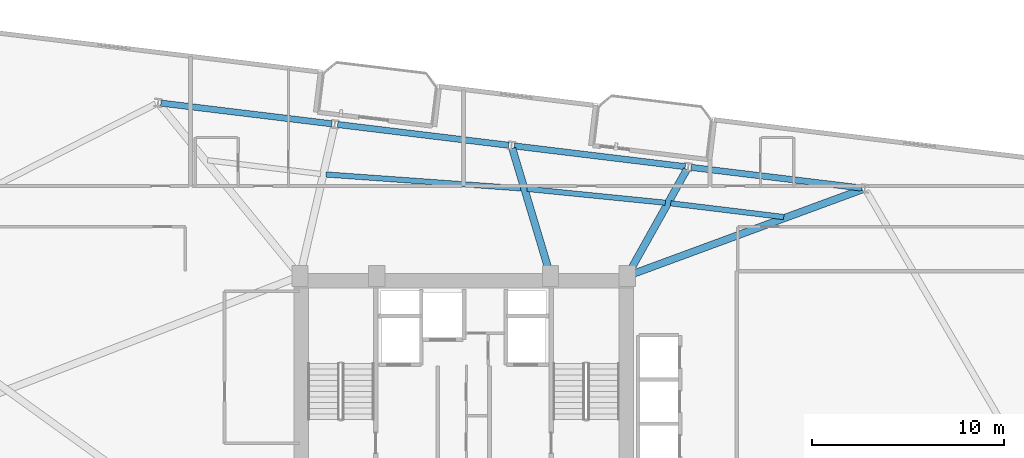
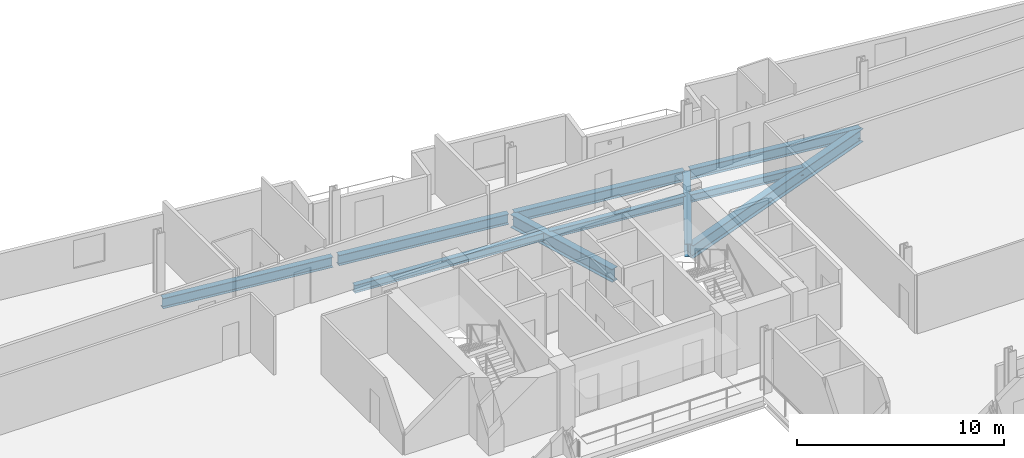
# One storey, part 13 of 26: 10 beams.
"""IFC4 building model written with IfcOpenShell, lengths in metres."""

from ifc_helpers import new_model, si_unit, direction, frame, origin, origin_2d, place, context, subcontext, project, spatial, i_section, extrude, material, material_profile, profile_set, type_object, element, save


model = new_model("IFC4")

# Units and contexts
model_context = context("Model", 3, precision=1e-05, world=origin(), true_north=direction((0.0, 1.0)))
body_context = subcontext(model_context, "Body", "Model", "MODEL_VIEW")
ifc_project = project(units=[si_unit("LENGTHUNIT", "METRE"), si_unit("AREAUNIT", "SQUARE_METRE"), si_unit("VOLUMEUNIT", "CUBIC_METRE"), si_unit("PLANEANGLEUNIT", "RADIAN"), si_unit("MASSUNIT", "GRAM", prefix="KILO")], contexts=[model_context])

# Site, building, storey
site_placement = place(None, origin())
site = spatial("IfcSite", under=ifc_project, at=site_placement, CompositionType="ELEMENT")
building_placement = place(site_placement, origin())
building = spatial("IfcBuilding", under=site, at=building_placement, Name="Varnelok Gate Tower", CompositionType="ELEMENT")
storey_placement = place(building_placement, frame((0.0, 0.0, 147.60009765625)))
storey = spatial("IfcBuildingStorey", under=building, at=storey_placement, Name="L37", CompositionType="ELEMENT", Elevation=147.60009765625)

# Beams
ifc_material = material(Name="Structural Steel ASTM A992 Grade 50", Category="steel")
ifc_material_profile_1 = material_profile(ifc_material, i_section(OverallWidth=0.280029296875, OverallDepth=0.462890625, WebThickness=0.0107421875, FlangeThickness=0.017333984375, FilletRadius=0.014892578125, at=origin_2d()), Name="W18X76")
ifc_profile_set_1 = profile_set([ifc_material_profile_1], Name="Structural Steel ASTM A992 Grade 50")
beam_type_1 = type_object("IfcBeamType", Name="BM-JST-W18X76", PredefinedType="JOIST", material=ifc_profile_set_1)
beam_1_placement = place(storey_placement, frame((55.83837890625, 42.11767578125, -0.481689453125), z_axis=(-0.992736768693, 0.120306725023, 0.0), x_axis=(-0.120306725023, -0.992736768693, 0.0)))
element("IfcBeam", 1, at=beam_1_placement, inside=storey, type_object=beam_type_1, Name="L37 Sector Floor Joist 7", PredefinedType="JOIST", context=body_context, shape_type="SweptSolid", body=[
    extrude(i_section(OverallWidth=0.280029296875, OverallDepth=0.462890625, WebThickness=0.0107421875, FlangeThickness=0.017333984375, FilletRadius=0.014892578125, at=origin_2d()), origin(), (0.0, 0.0, 1.0), 5.91748046875),
])
beam_2_placement = place(storey_placement, frame((49.685546875, 42.860595703125, -0.481689453125), z_axis=(-0.995046890512, 0.099406668195, 0.0), x_axis=(-0.099406668195, -0.995046890512, 0.0)))
element("IfcBeam", 2, at=beam_2_placement, inside=storey, type_object=beam_type_1, Name="L37 Sector Floor Joist 8", PredefinedType="JOIST", context=body_context, shape_type="SweptSolid", body=[
    extrude(i_section(OverallWidth=0.280029296875, OverallDepth=0.462890625, WebThickness=0.0107421875, FlangeThickness=0.017333984375, FilletRadius=0.014892578125, at=origin_2d()), origin(), (0.0, 0.0, 1.0), 7.22314453125),
])
beam_3_placement = place(storey_placement, frame((42.219482421875, 43.602294921875, -0.481689453125), z_axis=(-0.997461008797, 0.071214717085, 0.0), x_axis=(-0.071214717085, -0.997461008797, 0.0)))
element("IfcBeam", 3, at=beam_3_placement, inside=storey, type_object=beam_type_1, Name="L37 Sector Floor Joist 9", PredefinedType="JOIST", context=body_context, shape_type="SweptSolid", body=[
    extrude(i_section(OverallWidth=0.280029296875, OverallDepth=0.462890625, WebThickness=0.0107421875, FlangeThickness=0.017333984375, FilletRadius=0.014892578125, at=origin_2d()), origin(), (0.0, 0.0, 1.0), 10.195556640625),
])
ifc_material_profile_2 = material_profile(ifc_material, i_section(OverallWidth=0.381103515625, OverallDepth=0.77294921875, WebThickness=0.0166015625, FlangeThickness=0.027099609375, FilletRadius=0.02197265625, at=origin_2d()), Name="W30X173")
ifc_profile_set_2 = profile_set([ifc_material_profile_2], Name="Structural Steel ASTM A992 Grade 50")
beam_type_2 = type_object("IfcBeamType", Name="BM-PRI-W30X173", PredefinedType="BEAM", material=ifc_profile_set_2)
beam_4_placement = place(storey_placement, frame((47.8408203125, 39.101806640625, -0.63671875), z_axis=(0.938296458402, 0.345831976761, 0.0), x_axis=(-0.345831976761, 0.938296458402, 0.0)))
element("IfcBeam", 4, at=beam_4_placement, inside=storey, type_object=beam_type_2, Name="L37 Radial Floor Girder 9", PredefinedType="BEAM", context=body_context, shape_type="SweptSolid", body=[
    extrude(i_section(OverallWidth=0.381103515625, OverallDepth=0.77294921875, WebThickness=0.0166015625, FlangeThickness=0.027099609375, FilletRadius=0.02197265625, at=origin_2d()), origin(), (0.0, 0.0, 1.0), 12.86669921875),
])
beam_5_placement = place(storey_placement, frame((47.773193359375, 39.180908203125, -0.63671875), z_axis=(0.48838490004, 0.872628322605, 0.0), x_axis=(-0.872628322605, 0.48838490004, 0.0)))
element("IfcBeam", 5, at=beam_5_placement, inside=storey, type_object=beam_type_2, Name="L37 Radial Floor Girder 10", PredefinedType="BEAM", context=body_context, shape_type="SweptSolid", body=[
    extrude(i_section(OverallWidth=0.381103515625, OverallDepth=0.77294921875, WebThickness=0.0166015625, FlangeThickness=0.027099609375, FilletRadius=0.02197265625, at=origin_2d()), origin(), (0.0, 0.0, 1.0), 6.193603515625),
])
beam_6_placement = place(storey_placement, frame((43.677001953125, 39.193603515625, -0.63671875), z_axis=(-0.28702069947, 0.957924380145, 0.0), x_axis=(-0.957924380145, -0.28702069947, 0.0)))
element("IfcBeam", 6, at=beam_6_placement, inside=storey, type_object=beam_type_2, Name="L37 Radial Floor Girder 11", PredefinedType="BEAM", context=body_context, shape_type="SweptSolid", body=[
    extrude(i_section(OverallWidth=0.381103515625, OverallDepth=0.77294921875, WebThickness=0.0166015625, FlangeThickness=0.027099609375, FilletRadius=0.02197265625, at=origin_2d()), origin(), (0.0, 0.0, 1.0), 6.777587890625),
])
ifc_material_profile_3 = material_profile(ifc_material, i_section(OverallWidth=0.323974609375, OverallDepth=0.611083984375, WebThickness=0.0126953125, FlangeThickness=0.01904296875, FilletRadius=0.01806640625, at=origin_2d()), Name="W24X104")
ifc_profile_set_3 = profile_set([ifc_material_profile_3], Name="Structural Steel ASTM A992 Grade 50")
beam_type_3 = type_object("IfcBeamType", Name="BM-SPN-W24X104", PredefinedType="SPANDREL", material=ifc_profile_set_3)
for number, where, z_axis, x_axis, name in (
    (7, (59.905517578125, 43.621337890625, -0.5556640625), (-0.99273141198, 0.120350918849, 0.0), (-0.120350918849, -0.99273141198, 0.0), "L37 Perimeter Spandrel Beam 9"),
    (8, (50.72265625, 44.734619140625, -0.5556640625), (-0.992734670707, 0.120324035735, 0.0), (-0.120324035735, -0.992734670707, 0.0), "L37 Perimeter Spandrel Beam 10"),
    (9, (41.539794921875, 45.847900390625, -0.5556640625), (-0.992734670707, 0.120324035735, 0.0), (-0.120324035735, -0.992734670707, 0.0), "L37 Perimeter Spandrel Beam 11"),
    (10, (32.357177734375, 46.9609375, -0.5556640625), (-0.99273141198, 0.120350918849, 0.0), (-0.120350918849, -0.99273141198, 0.0), "L37 Perimeter Spandrel Beam 12"),
):
    element("IfcBeam", number, at=place(storey_placement, frame(where, z_axis=z_axis, x_axis=x_axis)), inside=storey, type_object=beam_type_3, Name=name, PredefinedType="SPANDREL", context=body_context, shape_type="SweptSolid", body=[
        extrude(i_section(OverallWidth=0.323974609375, OverallDepth=0.611083984375, WebThickness=0.0126953125, FlangeThickness=0.01904296875, FilletRadius=0.01806640625, at=origin_2d()), origin(), (0.0, 0.0, 1.0), 8.949951171875),
    ])

save(model, "model.ifc")
